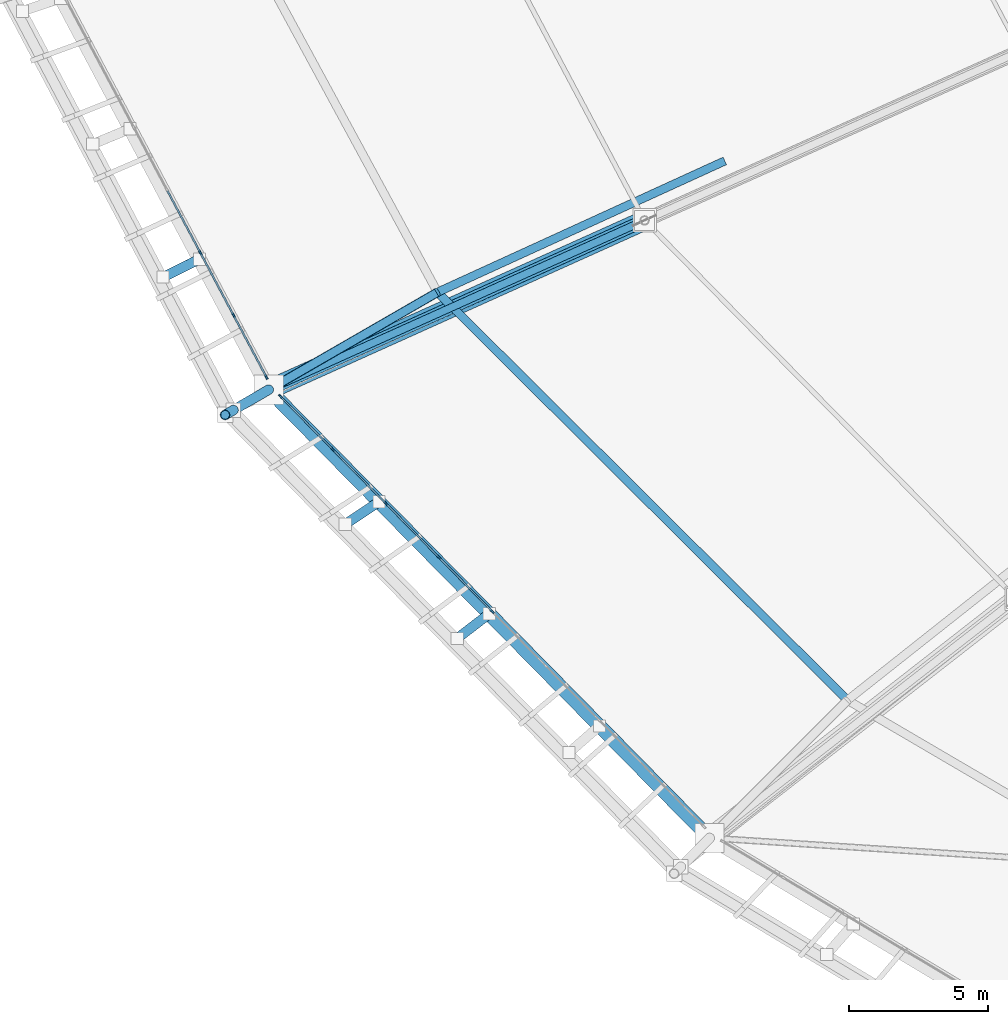
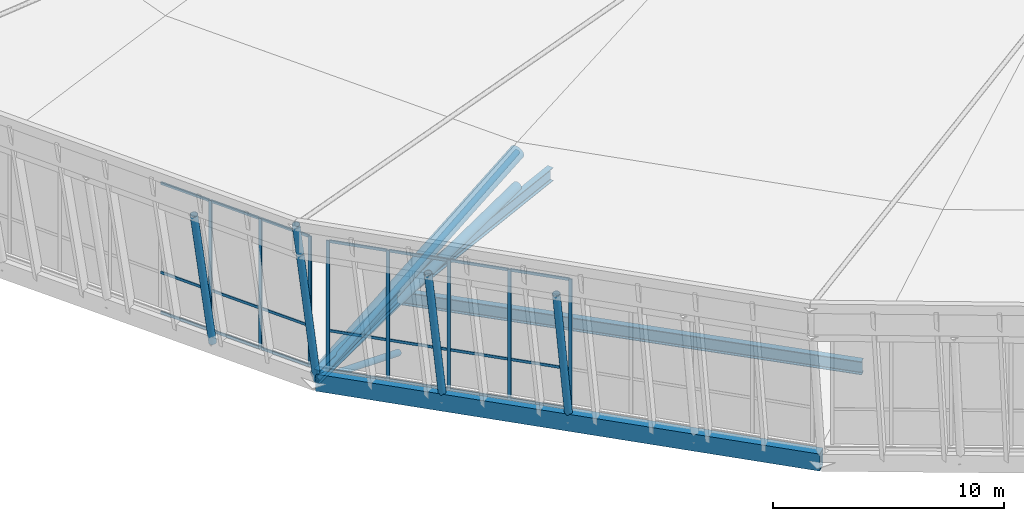
# One storey, part 5 of 115: 38 members, 4 beams, 2 elements without a shape of their own.
"""IFC4 building model written with IfcOpenShell, lengths in metres."""

from ifc_helpers import new_model, si_unit, direction, frame, origin, origin_2d, place, context, subcontext, project, spatial, rectangle, hollow_rectangle, hollow_circle, i_section, extrude, material, material_profile, profile_set, type_object, element, aggregate, save


model = new_model("IFC4")

# Units and contexts
model_context = context("Model", 3, precision=1e-05, world=origin(), true_north=direction((0.0, 1.0)))
body_context = subcontext(model_context, "Body", "Model", "MODEL_VIEW")
ifc_project = project(units=[si_unit("LENGTHUNIT", "METRE"), si_unit("AREAUNIT", "SQUARE_METRE"), si_unit("VOLUMEUNIT", "CUBIC_METRE"), si_unit("PLANEANGLEUNIT", "RADIAN"), si_unit("MASSUNIT", "GRAM", prefix="KILO")], contexts=[model_context])

# Site, building, storey
site_placement = place(None, origin())
site = spatial("IfcSite", under=ifc_project, at=site_placement, CompositionType="ELEMENT")
building_placement = place(site_placement, origin())
building = spatial("IfcBuilding", under=site, at=building_placement, Name="Zlatoyarsky Gate Stadium", CompositionType="ELEMENT")
storey_placement = place(building_placement, frame((0.0, 0.0, 31.800048828125)))
storey = spatial("IfcBuildingStorey", under=building, at=storey_placement, Name="RF", CompositionType="ELEMENT", Elevation=31.800048828125)

# Curtain wall, members
ifc_material_1 = material(Name="Thermally broken anodised aluminium curtain wall", Category="aluminium")
curtain_wall_type = type_object("IfcCurtainWallType", Name="UNITISED SKYBOX RING GLAZING L05", PredefinedType="USERDEFINED", material=ifc_material_1)
curtain_wall_1_placement = place(storey_placement, origin())
curtain_wall_1 = element("IfcCurtainWall", 1, at=curtain_wall_1_placement, inside=storey, type_object=curtain_wall_type, Name="Curtain wall CW-RF-13", ObjectType="UNITISED GLAZING", PredefinedType="USERDEFINED")
ifc_material_2 = material(Name="Anodised aluminium 6063-T6", Category="aluminium")
ifc_material_profile_1 = material_profile(ifc_material_2, rectangle(XDim=0.06494140625, YDim=0.159912109375, at=origin_2d()), Name="ALU 65X160")
ifc_profile_set_1 = profile_set([ifc_material_profile_1], Name="Anodised aluminium 6063-T6")
member_type_1 = type_object("IfcMemberType", Name="ALUMINIUM MULLION 65X160", PredefinedType="MULLION", material=ifc_profile_set_1)
member_1_placement = place(storey_placement, frame((21.90625, 45.92919921875, 0.0), z_axis=(0.0, 0.0, 1.0), x_axis=(0.883130898599, 0.469126652345, 0.0)))
member_1 = element("IfcMember", 2, at=member_1_placement, type_object=member_type_1, Name="CW-UG5 mullion 7", PredefinedType="MULLION", context=body_context, shape_type="SweptSolid", body=[
    extrude(rectangle(XDim=0.06494140625, YDim=0.159912109375, at=origin_2d()), origin(), (0.0, 0.0, 1.0), 6.89990234375),
])
member_2_placement = place(storey_placement, frame((23.106689453125, 43.669189453125, 0.0), z_axis=(0.0, 0.0, 1.0), x_axis=(0.883130898599, 0.469126652345, 0.0)))
member_2 = element("IfcMember", 3, at=member_2_placement, type_object=member_type_1, Name="CW-UG5 mullion 8", PredefinedType="MULLION", context=body_context, shape_type="SweptSolid", body=[
    extrude(rectangle(XDim=0.06494140625, YDim=0.159912109375, at=origin_2d()), origin(), (0.0, 0.0, 1.0), 6.89990234375),
])
member_3_placement = place(storey_placement, frame((24.291748046875, 41.438232421875, 0.0), z_axis=(0.0, 0.0, 1.0), x_axis=(0.883130898599, 0.469126652345, 0.0)))
member_3 = element("IfcMember", 4, at=member_3_placement, type_object=member_type_1, Name="CW-UG5 mullion 9", PredefinedType="MULLION", context=body_context, shape_type="SweptSolid", body=[
    extrude(rectangle(XDim=0.06494140625, YDim=0.159912109375, at=origin_2d()), origin(), (0.0, 0.0, 1.0), 6.89990234375),
])

curtain_wall_2_placement = place(storey_placement, origin())
curtain_wall_2 = element("IfcCurtainWall", 5, at=curtain_wall_2_placement, inside=storey, type_object=curtain_wall_type, Name="Curtain wall CW-RF-14", ObjectType="UNITISED GLAZING", PredefinedType="USERDEFINED")
member_4_placement = place(storey_placement, frame((24.798095703125, 40.748046875, 0.0), z_axis=(0.0, 0.0, 1.0), x_axis=(0.712766053473, 0.701401848456, 0.0)))
member_4 = element("IfcMember", 6, at=member_4_placement, type_object=member_type_1, Name="CW-UG5 mullion 1", PredefinedType="MULLION", context=body_context, shape_type="SweptSolid", body=[
    extrude(rectangle(XDim=0.06494140625, YDim=0.159912109375, at=origin_2d()), origin(), (0.0, 0.0, 1.0), 6.89990234375),
])
member_5_placement = place(storey_placement, frame((26.689453125, 38.825927734375, 0.0), z_axis=(0.0, 0.0, 1.0), x_axis=(0.712766053473, 0.701401848456, 0.0)))
member_5 = element("IfcMember", 7, at=member_5_placement, type_object=member_type_1, Name="CW-UG5 mullion 2", PredefinedType="MULLION", context=body_context, shape_type="SweptSolid", body=[
    extrude(rectangle(XDim=0.06494140625, YDim=0.159912109375, at=origin_2d()), origin(), (0.0, 0.0, 1.0), 6.89990234375),
])
member_6_placement = place(storey_placement, frame((28.603515625, 36.880859375, 0.0), z_axis=(0.0, 0.0, 1.0), x_axis=(0.712766053473, 0.701401848456, 0.0)))
member_6 = element("IfcMember", 8, at=member_6_placement, type_object=member_type_1, Name="CW-UG5 mullion 3", PredefinedType="MULLION", context=body_context, shape_type="SweptSolid", body=[
    extrude(rectangle(XDim=0.06494140625, YDim=0.159912109375, at=origin_2d()), origin(), (0.0, 0.0, 1.0), 6.89990234375),
])
member_7_placement = place(storey_placement, frame((30.517578125, 34.935791015625, 0.0), z_axis=(0.0, 0.0, 1.0), x_axis=(0.712766053473, 0.701401848456, 0.0)))
member_7 = element("IfcMember", 9, at=member_7_placement, type_object=member_type_1, Name="CW-UG5 mullion 4", PredefinedType="MULLION", context=body_context, shape_type="SweptSolid", body=[
    extrude(rectangle(XDim=0.06494140625, YDim=0.159912109375, at=origin_2d()), origin(), (0.0, 0.0, 1.0), 6.89990234375),
])
member_8_placement = place(storey_placement, frame((32.431884765625, 32.99072265625, 0.0), z_axis=(0.0, 0.0, 1.0), x_axis=(0.712766053473, 0.701401848456, 0.0)))
member_8 = element("IfcMember", 10, at=member_8_placement, type_object=member_type_1, Name="CW-UG5 mullion 5", PredefinedType="MULLION", context=body_context, shape_type="SweptSolid", body=[
    extrude(rectangle(XDim=0.06494140625, YDim=0.159912109375, at=origin_2d()), origin(), (0.0, 0.0, 1.0), 6.89990234375),
])

# Member
ifc_material_profile_2 = material_profile(ifc_material_2, rectangle(XDim=0.06494140625, YDim=0.139892578125, at=origin_2d()), Name="ALU 65X140")
ifc_profile_set_2 = profile_set([ifc_material_profile_2], Name="Anodised aluminium 6063-T6")
member_type_2 = type_object("IfcMemberType", Name="ALUMINIUM TRANSOM 65X140", PredefinedType="USERDEFINED", material=ifc_profile_set_2)
member_9_placement = place(storey_placement, frame((20.72119140625, 48.16015625, 0.032470703125), z_axis=(0.469124208683, -0.883132196688, 0.0), x_axis=(0.883132196688, 0.469124208683, 0.0)))
member_9 = element("IfcMember", 11, at=member_9_placement, type_object=member_type_2, Name="CW-UG5 transom 6.1", ObjectType="TRANSOM", PredefinedType="USERDEFINED", context=body_context, shape_type="SweptSolid", body=[
    extrude(rectangle(XDim=0.06494140625, YDim=0.139892578125, at=origin_2d()), origin(), (0.0, 0.0, 1.0), 2.493896484375),
])

member_10_placement = place(storey_placement, frame((20.72119140625, 48.16015625, 2.14990234375), z_axis=(0.469124208683, -0.883132196688, 0.0), x_axis=(0.883132196688, 0.469124208683, 0.0)))
member_10 = element("IfcMember", 12, at=member_10_placement, type_object=member_type_2, Name="CW-UG5 transom 6.2", ObjectType="TRANSOM", PredefinedType="USERDEFINED", context=body_context, shape_type="SweptSolid", body=[
    extrude(rectangle(XDim=0.06494140625, YDim=0.139892578125, at=origin_2d()), origin(), (0.0, 0.0, 1.0), 2.493896484375),
])

member_11_placement = place(storey_placement, frame((20.72119140625, 48.16015625, 6.867431640625), z_axis=(0.469124208683, -0.883132196688, 0.0), x_axis=(0.883132196688, 0.469124208683, 0.0)))
member_11 = element("IfcMember", 13, at=member_11_placement, type_object=member_type_2, Name="CW-UG5 transom 6.3", ObjectType="TRANSOM", PredefinedType="USERDEFINED", context=body_context, shape_type="SweptSolid", body=[
    extrude(rectangle(XDim=0.06494140625, YDim=0.139892578125, at=origin_2d()), origin(), (0.0, 0.0, 1.0), 2.493896484375),
])

member_12_placement = place(storey_placement, frame((21.92138671875, 45.900390625, 0.032470703125), z_axis=(0.469124208683, -0.883132196688, 0.0), x_axis=(0.883132196688, 0.469124208683, 0.0)))
member_12 = element("IfcMember", 14, at=member_12_placement, type_object=member_type_2, Name="CW-UG5 transom 7.1", ObjectType="TRANSOM", PredefinedType="USERDEFINED", context=body_context, shape_type="SweptSolid", body=[
    extrude(rectangle(XDim=0.06494140625, YDim=0.139892578125, at=origin_2d()), origin(), (0.0, 0.0, 1.0), 2.493896484375),
])

member_13_placement = place(storey_placement, frame((21.92138671875, 45.900390625, 2.14990234375), z_axis=(0.469124208683, -0.883132196688, 0.0), x_axis=(0.883132196688, 0.469124208683, 0.0)))
member_13 = element("IfcMember", 15, at=member_13_placement, type_object=member_type_2, Name="CW-UG5 transom 7.2", ObjectType="TRANSOM", PredefinedType="USERDEFINED", context=body_context, shape_type="SweptSolid", body=[
    extrude(rectangle(XDim=0.06494140625, YDim=0.139892578125, at=origin_2d()), origin(), (0.0, 0.0, 1.0), 2.493896484375),
])

member_14_placement = place(storey_placement, frame((21.92138671875, 45.900390625, 6.867431640625), z_axis=(0.469124208683, -0.883132196688, 0.0), x_axis=(0.883132196688, 0.469124208683, 0.0)))
member_14 = element("IfcMember", 16, at=member_14_placement, type_object=member_type_2, Name="CW-UG5 transom 7.3", ObjectType="TRANSOM", PredefinedType="USERDEFINED", context=body_context, shape_type="SweptSolid", body=[
    extrude(rectangle(XDim=0.06494140625, YDim=0.139892578125, at=origin_2d()), origin(), (0.0, 0.0, 1.0), 2.493896484375),
])

member_15_placement = place(storey_placement, frame((23.121826171875, 43.640625, 0.032470703125), z_axis=(0.469135887796, -0.883125992587, 0.0), x_axis=(0.883125992587, 0.469135887796, 0.0)))
member_15 = element("IfcMember", 17, at=member_15_placement, type_object=member_type_2, Name="CW-UG5 transom 8.1", ObjectType="TRANSOM", PredefinedType="USERDEFINED", context=body_context, shape_type="SweptSolid", body=[
    extrude(rectangle(XDim=0.06494140625, YDim=0.139892578125, at=origin_2d()), origin(), (0.0, 0.0, 1.0), 2.46142578125),
])

member_16_placement = place(storey_placement, frame((23.121826171875, 43.640625, 2.14990234375), z_axis=(0.469135887796, -0.883125992587, 0.0), x_axis=(0.883125992587, 0.469135887796, 0.0)))
member_16 = element("IfcMember", 18, at=member_16_placement, type_object=member_type_2, Name="CW-UG5 transom 8.2", ObjectType="TRANSOM", PredefinedType="USERDEFINED", context=body_context, shape_type="SweptSolid", body=[
    extrude(rectangle(XDim=0.06494140625, YDim=0.139892578125, at=origin_2d()), origin(), (0.0, 0.0, 1.0), 2.46142578125),
])

member_17_placement = place(storey_placement, frame((23.121826171875, 43.640625, 6.867431640625), z_axis=(0.469135887796, -0.883125992587, 0.0), x_axis=(0.883125992587, 0.469135887796, 0.0)))
member_17 = element("IfcMember", 19, at=member_17_placement, type_object=member_type_2, Name="CW-UG5 transom 8.3", ObjectType="TRANSOM", PredefinedType="USERDEFINED", context=body_context, shape_type="SweptSolid", body=[
    extrude(rectangle(XDim=0.06494140625, YDim=0.139892578125, at=origin_2d()), origin(), (0.0, 0.0, 1.0), 2.46142578125),
])

aggregate(curtain_wall_1, [member_1, member_2, member_3, member_9, member_10, member_11, member_12, member_13, member_14, member_15, member_16, member_17])

member_18_placement = place(storey_placement, frame((24.821044921875, 40.724853515625, 0.032470703125), z_axis=(0.701378106075, -0.712789416531, 0.0), x_axis=(0.712789416531, 0.701378106075, 0.0)))
member_18 = element("IfcMember", 20, at=member_18_placement, type_object=member_type_2, Name="CW-UG5 transom 1.1", ObjectType="TRANSOM", PredefinedType="USERDEFINED", context=body_context, shape_type="SweptSolid", body=[
    extrude(rectangle(XDim=0.06494140625, YDim=0.139892578125, at=origin_2d()), origin(), (0.0, 0.0, 1.0), 2.631591796875),
])

member_19_placement = place(storey_placement, frame((24.821044921875, 40.724853515625, 2.14990234375), z_axis=(0.701378106075, -0.712789416531, 0.0), x_axis=(0.712789416531, 0.701378106075, 0.0)))
member_19 = element("IfcMember", 21, at=member_19_placement, type_object=member_type_2, Name="CW-UG5 transom 1.2", ObjectType="TRANSOM", PredefinedType="USERDEFINED", context=body_context, shape_type="SweptSolid", body=[
    extrude(rectangle(XDim=0.06494140625, YDim=0.139892578125, at=origin_2d()), origin(), (0.0, 0.0, 1.0), 2.631591796875),
])

member_20_placement = place(storey_placement, frame((24.821044921875, 40.724853515625, 6.867431640625), z_axis=(0.701378106075, -0.712789416531, 0.0), x_axis=(0.712789416531, 0.701378106075, 0.0)))
member_20 = element("IfcMember", 22, at=member_20_placement, type_object=member_type_2, Name="CW-UG5 transom 1.3", ObjectType="TRANSOM", PredefinedType="USERDEFINED", context=body_context, shape_type="SweptSolid", body=[
    extrude(rectangle(XDim=0.06494140625, YDim=0.139892578125, at=origin_2d()), origin(), (0.0, 0.0, 1.0), 2.631591796875),
])

member_21_placement = place(storey_placement, frame((26.71240234375, 38.802734375, 0.032470703125), z_axis=(0.701401615361, -0.712766282851, 0.0), x_axis=(0.712766282851, 0.701401615361, 0.0)))
member_21 = element("IfcMember", 23, at=member_21_placement, type_object=member_type_2, Name="CW-UG5 transom 2.1", ObjectType="TRANSOM", PredefinedType="USERDEFINED", context=body_context, shape_type="SweptSolid", body=[
    extrude(rectangle(XDim=0.06494140625, YDim=0.139892578125, at=origin_2d()), origin(), (0.0, 0.0, 1.0), 2.663818359375),
])

member_22_placement = place(storey_placement, frame((26.71240234375, 38.802734375, 2.14990234375), z_axis=(0.701401615361, -0.712766282851, 0.0), x_axis=(0.712766282851, 0.701401615361, 0.0)))
member_22 = element("IfcMember", 24, at=member_22_placement, type_object=member_type_2, Name="CW-UG5 transom 2.2", ObjectType="TRANSOM", PredefinedType="USERDEFINED", context=body_context, shape_type="SweptSolid", body=[
    extrude(rectangle(XDim=0.06494140625, YDim=0.139892578125, at=origin_2d()), origin(), (0.0, 0.0, 1.0), 2.663818359375),
])

member_23_placement = place(storey_placement, frame((26.71240234375, 38.802734375, 6.867431640625), z_axis=(0.701401615361, -0.712766282851, 0.0), x_axis=(0.712766282851, 0.701401615361, 0.0)))
member_23 = element("IfcMember", 25, at=member_23_placement, type_object=member_type_2, Name="CW-UG5 transom 2.3", ObjectType="TRANSOM", PredefinedType="USERDEFINED", context=body_context, shape_type="SweptSolid", body=[
    extrude(rectangle(XDim=0.06494140625, YDim=0.139892578125, at=origin_2d()), origin(), (0.0, 0.0, 1.0), 2.663818359375),
])

member_24_placement = place(storey_placement, frame((28.62646484375, 36.857666015625, 0.032470703125), z_axis=(0.701401615361, -0.712766282851, 0.0), x_axis=(0.712766282851, 0.701401615361, 0.0)))
member_24 = element("IfcMember", 26, at=member_24_placement, type_object=member_type_2, Name="CW-UG5 transom 3.1", ObjectType="TRANSOM", PredefinedType="USERDEFINED", context=body_context, shape_type="SweptSolid", body=[
    extrude(rectangle(XDim=0.06494140625, YDim=0.139892578125, at=origin_2d()), origin(), (0.0, 0.0, 1.0), 2.663818359375),
])

member_25_placement = place(storey_placement, frame((28.62646484375, 36.857666015625, 2.14990234375), z_axis=(0.701401615361, -0.712766282851, 0.0), x_axis=(0.712766282851, 0.701401615361, 0.0)))
member_25 = element("IfcMember", 27, at=member_25_placement, type_object=member_type_2, Name="CW-UG5 transom 3.2", ObjectType="TRANSOM", PredefinedType="USERDEFINED", context=body_context, shape_type="SweptSolid", body=[
    extrude(rectangle(XDim=0.06494140625, YDim=0.139892578125, at=origin_2d()), origin(), (0.0, 0.0, 1.0), 2.663818359375),
])

member_26_placement = place(storey_placement, frame((28.62646484375, 36.857666015625, 6.867431640625), z_axis=(0.701401615361, -0.712766282851, 0.0), x_axis=(0.712766282851, 0.701401615361, 0.0)))
member_26 = element("IfcMember", 28, at=member_26_placement, type_object=member_type_2, Name="CW-UG5 transom 3.3", ObjectType="TRANSOM", PredefinedType="USERDEFINED", context=body_context, shape_type="SweptSolid", body=[
    extrude(rectangle(XDim=0.06494140625, YDim=0.139892578125, at=origin_2d()), origin(), (0.0, 0.0, 1.0), 2.663818359375),
])

member_27_placement = place(storey_placement, frame((30.54052734375, 34.91259765625, 0.032470703125), z_axis=(0.701401615361, -0.712766282851, 0.0), x_axis=(0.712766282851, 0.701401615361, 0.0)))
member_27 = element("IfcMember", 29, at=member_27_placement, type_object=member_type_2, Name="CW-UG5 transom 4.1", ObjectType="TRANSOM", PredefinedType="USERDEFINED", context=body_context, shape_type="SweptSolid", body=[
    extrude(rectangle(XDim=0.06494140625, YDim=0.139892578125, at=origin_2d()), origin(), (0.0, 0.0, 1.0), 2.663818359375),
])

member_28_placement = place(storey_placement, frame((30.54052734375, 34.91259765625, 2.14990234375), z_axis=(0.701401615361, -0.712766282851, 0.0), x_axis=(0.712766282851, 0.701401615361, 0.0)))
member_28 = element("IfcMember", 30, at=member_28_placement, type_object=member_type_2, Name="CW-UG5 transom 4.2", ObjectType="TRANSOM", PredefinedType="USERDEFINED", context=body_context, shape_type="SweptSolid", body=[
    extrude(rectangle(XDim=0.06494140625, YDim=0.139892578125, at=origin_2d()), origin(), (0.0, 0.0, 1.0), 2.663818359375),
])

member_29_placement = place(storey_placement, frame((30.54052734375, 34.91259765625, 6.867431640625), z_axis=(0.701401615361, -0.712766282851, 0.0), x_axis=(0.712766282851, 0.701401615361, 0.0)))
member_29 = element("IfcMember", 31, at=member_29_placement, type_object=member_type_2, Name="CW-UG5 transom 4.3", ObjectType="TRANSOM", PredefinedType="USERDEFINED", context=body_context, shape_type="SweptSolid", body=[
    extrude(rectangle(XDim=0.06494140625, YDim=0.139892578125, at=origin_2d()), origin(), (0.0, 0.0, 1.0), 2.663818359375),
])

aggregate(curtain_wall_2, [member_4, member_5, member_6, member_7, member_8, member_18, member_19, member_20, member_21, member_22, member_23, member_24, member_25, member_26, member_27, member_28, member_29])

# Members
ifc_material_3 = material(Name="Steel S355", Category="steel")
ifc_material_profile_3 = material_profile(ifc_material_3, hollow_circle(Radius=0.228515625, WallThickness=0.02490234375, at=origin_2d()), Name="CHS 457X25")
ifc_profile_set_3 = profile_set([ifc_material_profile_3], Name="Steel S355")
member_type_3 = type_object("IfcMemberType", Name="STEEL ARCH BOTTOM CHORD CHS 457X25", PredefinedType="CHORD", material=ifc_profile_set_3)
member_30_placement = place(storey_placement, frame((24.37353515625, 40.986083984375, -0.449951171875), z_axis=(0.905178236441, 0.407667849919, 0.120246764678), x_axis=(-0.410647494478, 0.911794184714, 0.0)))
element("IfcMember", 32, at=member_30_placement, inside=storey, type_object=member_type_3, Name="Radial truss R15 bottom chord 1", PredefinedType="CHORD", context=body_context, shape_type="SweptSolid", body=[
    extrude(hollow_circle(Radius=0.228515625, WallThickness=0.02490234375, at=origin_2d()), origin(), (0.0, 0.0, 1.0), 14.967529296875),
])
ifc_material_profile_4 = material_profile(ifc_material_3, hollow_circle(Radius=0.35546875, WallThickness=0.031982421875, at=origin_2d()), Name="CHS 711X32")
ifc_profile_set_4 = profile_set([ifc_material_profile_4], Name="Steel S355")
member_type_4 = type_object("IfcMemberType", Name="STEEL ARCH TOP CHORD CHS 711X32", PredefinedType="CHORD", material=ifc_profile_set_4)
member_31_placement = place(storey_placement, frame((24.37353515625, 40.986083984375, -0.25), z_axis=(0.888824010975, 0.400302348115, 0.223046873118), x_axis=(-0.410647494478, 0.911794184714, 0.0)))
element("IfcMember", 33, at=member_31_placement, inside=storey, type_object=member_type_4, Name="Radial truss R15 top chord 1", PredefinedType="CHORD", context=body_context, shape_type="SweptSolid", body=[
    extrude(hollow_circle(Radius=0.35546875, WallThickness=0.031982421875, at=origin_2d()), origin(), (0.0, 0.0, 1.0), 15.242919921875),
])
ifc_material_profile_5 = material_profile(ifc_material_3, hollow_circle(Radius=0.177734375, WallThickness=0.02001953125, at=origin_2d()), Name="CHS 355.6X20")
ifc_profile_set_5 = profile_set([ifc_material_profile_5], Name="Steel S355")
member_type_5 = type_object("IfcMemberType", Name="STEEL LEANING RIB RING STRUT CHS 355.6X20", PredefinedType="STRUT", material=ifc_profile_set_5)
member_32_placement = place(storey_placement, frame((21.87548828125, 45.69091796875, -0.449951171875), z_axis=(-0.169006721512, -0.083383379682, 0.982081432508), x_axis=(0.442452958982, -0.89679171444, 0.0)))
element("IfcMember", 34, at=member_32_placement, inside=storey, type_object=member_type_5, Name="Outward-leaning bowl louvre fin rib RF 13-3", PredefinedType="STRUT", context=body_context, shape_type="SweptSolid", body=[
    extrude(hollow_circle(Radius=0.177734375, WallThickness=0.02001953125, at=origin_2d()), origin(), (0.0, 0.0, 1.0), 7.738525390625),
])
member_33_placement = place(storey_placement, frame((24.37353515625, 40.986083984375, -0.449951171875), z_axis=(-0.164206124539, -0.094782828321, 0.981861784631), x_axis=(0.499914467095, -0.866074780599, 0.0)))
element("IfcMember", 35, at=member_33_placement, inside=storey, type_object=member_type_5, Name="Outward-leaning crown fascia lower post 14", PredefinedType="STRUT", context=body_context, shape_type="SweptSolid", body=[
    extrude(hollow_circle(Radius=0.177734375, WallThickness=0.02001953125, at=origin_2d()), origin(), (0.0, 0.0, 1.0), 7.740234375),
])
member_34_placement = place(storey_placement, frame((23.1025390625, 40.25244140625, 7.14990234375), z_axis=(-0.174163789364, -0.100587325845, 0.979565803994), x_axis=(0.500126092966, -0.865952591736, 0.0)))
element("IfcMember", 36, at=member_34_placement, inside=storey, type_object=member_type_5, Name="Outward-leaning crown fascia upper post 14", PredefinedType="STRUT", context=body_context, shape_type="SweptSolid", body=[
    extrude(hollow_circle(Radius=0.177734375, WallThickness=0.02001953125, at=origin_2d()), origin(), (0.0, 0.0, 1.0), 1.7353515625),
])
member_35_placement = place(storey_placement, frame((28.34765625, 36.9462890625, -0.449951171875), z_axis=(-0.156703430904, -0.104647731087, 0.982085987641), x_axis=(0.555356854157, -0.831612147904, 0.0)))
element("IfcMember", 37, at=member_35_placement, inside=storey, type_object=member_type_5, Name="Outward-leaning bowl louvre fin rib RF 14-1", PredefinedType="STRUT", context=body_context, shape_type="SweptSolid", body=[
    extrude(hollow_circle(Radius=0.177734375, WallThickness=0.02001953125, at=origin_2d()), origin(), (0.0, 0.0, 1.0), 7.738525390625),
])
member_36_placement = place(storey_placement, frame((32.32177734375, 32.90625, -0.449951171875), z_axis=(-0.149205762334, -0.114467859113, 0.982158210125), x_axis=(0.608688634056, -0.793409192517, 0.0)))
element("IfcMember", 38, at=member_36_placement, inside=storey, type_object=member_type_5, Name="Outward-leaning bowl louvre fin rib RF 14-2", PredefinedType="STRUT", context=body_context, shape_type="SweptSolid", body=[
    extrude(hollow_circle(Radius=0.177734375, WallThickness=0.02001953125, at=origin_2d()), origin(), (0.0, 0.0, 1.0), 7.73779296875),
])

# Beams
ifc_material_profile_6 = material_profile(ifc_material_3, hollow_rectangle(XDim=0.5, YDim=0.89990234375, WallThickness=0.028076171875, at=origin_2d()), Name="RHS 900X500X28")
ifc_profile_set_6 = profile_set([ifc_material_profile_6], Name="Steel S355")
beam_type_1 = type_object("IfcBeamType", Name="STEEL OUTER COMPRESSION RING BEAM RHS 900X500X28", PredefinedType="USERDEFINED", material=ifc_profile_set_6)
beam_1_placement = place(storey_placement, frame((24.37353515625, 40.986083984375, -0.449951171875), z_axis=(0.701266884869, -0.712898840079, 0.0), x_axis=(0.712898840079, 0.701266884869, 0.0)))
element("IfcBeam", 39, at=beam_1_placement, inside=storey, type_object=beam_type_1, Name="Outer compression ring beam 14", ObjectType="RING BEAM", PredefinedType="USERDEFINED", context=body_context, shape_type="SweptSolid", body=[
    extrude(hollow_rectangle(XDim=0.5, YDim=0.89990234375, WallThickness=0.028076171875, at=origin_2d()), origin(), (0.0, 0.0, 1.0), 22.66796875),
])
ifc_material_profile_7 = material_profile(ifc_material_3, i_section(OverallWidth=0.300048828125, OverallDepth=0.699951171875, WebThickness=0.01708984375, FlangeThickness=0.031982421875, FilletRadius=0.027099609375, at=origin_2d()), Name="HEB 700")
ifc_profile_set_7 = profile_set([ifc_material_profile_7], Name="Steel S355")
beam_type_2 = type_object("IfcBeamType", Name="STEEL ROOF RING GIRDER HEB 700", PredefinedType="BEAM", material=ifc_profile_set_7)
beam_2_placement = place(storey_placement, frame((40.8154296875, 49.2333984375, -0.300048828125), z_axis=(-0.909494931213, -0.415715010671, 0.0), x_axis=(0.415715010671, -0.909494931213, 0.0)))
element("IfcBeam", 40, at=beam_2_placement, inside=storey, type_object=beam_type_2, Name="RF roof tie girder BM-RF-RBC-14", PredefinedType="BEAM", context=body_context, shape_type="SweptSolid", body=[
    extrude(i_section(OverallWidth=0.300048828125, OverallDepth=0.699951171875, WebThickness=0.01708984375, FlangeThickness=0.031982421875, FilletRadius=0.027099609375, at=origin_2d()), origin(), (0.0, 0.0, 1.0), 11.34619140625),
])
beam_3_placement = place(storey_placement, frame((30.425048828125, 44.47998046875, -0.300048828125), z_axis=(-0.866022092401, -0.50000573544, 0.0), x_axis=(0.50000573544, -0.866022092401, 0.0)))
element("IfcBeam", 41, at=beam_3_placement, inside=storey, type_object=beam_type_2, Name="RF roof tie girder BM-RF-COUT-14", PredefinedType="BEAM", context=body_context, shape_type="SweptSolid", body=[
    extrude(i_section(OverallWidth=0.300048828125, OverallDepth=0.699951171875, WebThickness=0.01708984375, FlangeThickness=0.031982421875, FilletRadius=0.027099609375, at=origin_2d()), origin(), (0.0, 0.0, 1.0), 6.98779296875),
])
beam_4_placement = place(storey_placement, frame((30.488037109375, 44.4716796875, -0.300048828125), z_axis=(0.708897206107, -0.70531181131, 0.0), x_axis=(0.70531181131, 0.708897206107, 0.0)))
element("IfcBeam", 42, at=beam_4_placement, inside=storey, type_object=beam_type_2, Name="RF roof tie girder BM-RF-CRC-14", PredefinedType="BEAM", context=body_context, shape_type="SweptSolid", body=[
    extrude(i_section(OverallWidth=0.300048828125, OverallDepth=0.699951171875, WebThickness=0.01708984375, FlangeThickness=0.031982421875, FilletRadius=0.027099609375, at=origin_2d()), origin(), (0.0, 0.0, 1.0), 20.768310546875),
])

# Members
ifc_material_profile_8 = material_profile(ifc_material_3, hollow_circle(Radius=0.136474609375, WallThickness=0.01611328125, at=origin_2d()), Name="CHS 273X16")
ifc_profile_set_8 = profile_set([ifc_material_profile_8], Name="Steel S355")
member_type_6 = type_object("IfcMemberType", Name="STEEL ROOF TRUSS DIAGONAL CHS 273X16", PredefinedType="BRACE", material=ifc_profile_set_8)
member_37_placement = place(storey_placement, frame((24.37353515625, 40.986083984375, -0.449951171875), z_axis=(0.886159022345, 0.399102109156, 0.235456351758), x_axis=(-0.410647494478, 0.911794184714, 0.0)))
element("IfcMember", 43, at=member_37_placement, inside=storey, type_object=member_type_6, Name="Radial truss R15 web diagonal 1", PredefinedType="BRACE", context=body_context, shape_type="SweptSolid", body=[
    extrude(hollow_circle(Radius=0.136474609375, WallThickness=0.01611328125, at=origin_2d()), origin(), (0.0, 0.0, 1.0), 15.288818359375),
])
ifc_material_profile_9 = material_profile(ifc_material_3, hollow_circle(Radius=0.161865234375, WallThickness=0.01611328125, at=origin_2d()), Name="CHS 323.9X16")
ifc_profile_set_9 = profile_set([ifc_material_profile_9], Name="Steel S355")
member_type_7 = type_object("IfcMemberType", Name="STEEL TRUSS WEB STRUT CHS 323.9X16", PredefinedType="STRUT", material=ifc_profile_set_9)
member_38_placement = place(storey_placement, frame((30.459716796875, 44.5, -3.300048828125), z_axis=(-0.802536248055, -0.463352088662, 0.37581965421), x_axis=(0.500006126462, -0.866021866641, 0.0)))
element("IfcMember", 44, at=member_38_placement, inside=storey, type_object=member_type_7, Name="Arch heel prop 14", PredefinedType="STRUT", context=body_context, shape_type="SweptSolid", body=[
    extrude(hollow_circle(Radius=0.161865234375, WallThickness=0.01611328125, at=origin_2d()), origin(), (0.0, 0.0, 1.0), 7.583740234375),
])

save(model, "model.ifc")
